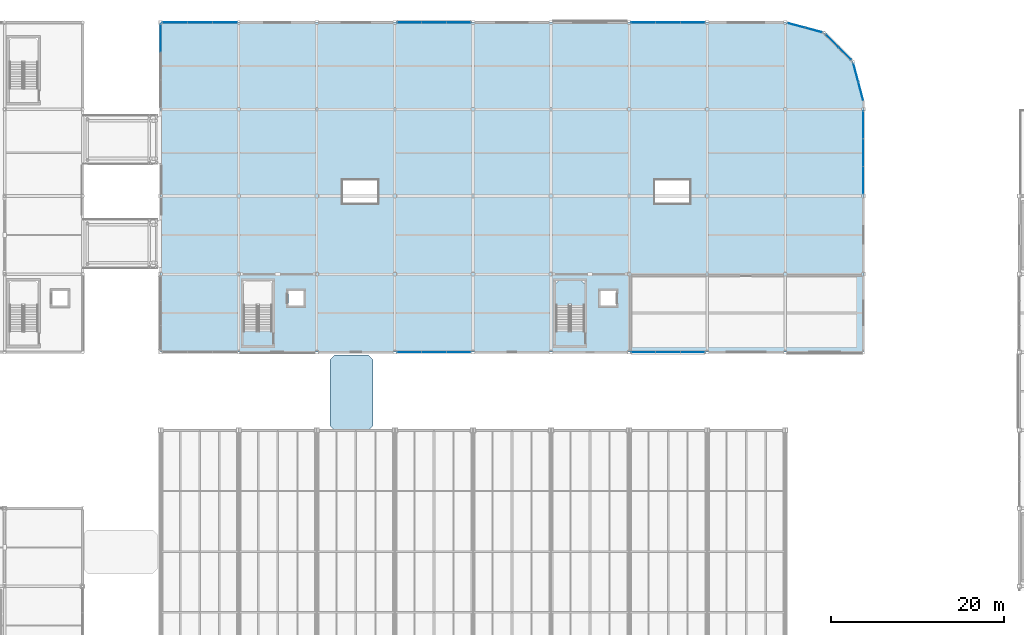
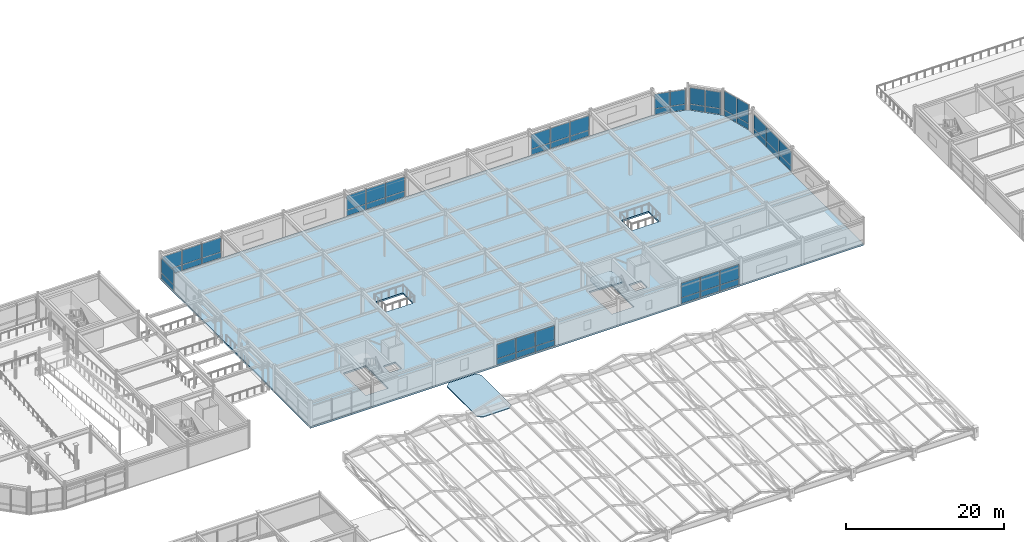
# One storey, part 66 of 108: 50 plates, 3 slabs, 11 elements without a shape of their own.
"""IFC4 building model written with IfcOpenShell, lengths in metres."""

from ifc_helpers import new_model, si_unit, direction, frame, origin, origin_2d, place, context, subcontext, project, spatial, polyline, rectangle, outline, extrude, material, layer, layer_set, type_object, element, aggregate, save


model = new_model("IFC4")

# Units and contexts
model_context = context("Model", 3, precision=1e-05, world=origin(), true_north=direction((0.0, 1.0)))
body_context = subcontext(model_context, "Body", "Model", "MODEL_VIEW")
ifc_project = project(units=[si_unit("LENGTHUNIT", "METRE"), si_unit("AREAUNIT", "SQUARE_METRE"), si_unit("VOLUMEUNIT", "CUBIC_METRE"), si_unit("PLANEANGLEUNIT", "RADIAN"), si_unit("MASSUNIT", "GRAM", prefix="KILO")], contexts=[model_context])

# Site, building, storey
site_placement = place(None, origin())
site = spatial("IfcSite", under=ifc_project, at=site_placement, CompositionType="ELEMENT")
building_placement = place(site_placement, origin())
building = spatial("IfcBuilding", under=site, at=building_placement, Name="Suzunagisa Mobility Hub", CompositionType="ELEMENT")
storey_placement = place(building_placement, frame((0.0, 0.0, 9.300048828125)))
storey = spatial("IfcBuildingStorey", under=building, at=storey_placement, Name="L02", CompositionType="ELEMENT", Elevation=9.300048828125)

# Slabs
ifc_material_1 = material(Name="Concrete C30/37", Category="concrete")
ifc_layer_1 = layer(ifc_material_1, 0.139892578125)
ifc_layer_set_1 = layer_set([ifc_layer_1], Name="Concrete C30/37")
slab_type_1 = type_object("IfcSlabType", Name="Composite Slab SL-06 140mm", PredefinedType="ROOF", material=ifc_layer_set_1)
slab_1_placement = place(storey_placement, frame((0.0, 0.0, -0.14013671875)))
element("IfcSlab", 1, at=slab_1_placement, inside=storey, type_object=slab_type_1, Name="L02 Skybridge Canopy SB-02", PredefinedType="ROOF", context=body_context, shape_type="SweptSolid", body=[
    extrude(outline(polyline([(65.050048828125, 71.0), (68.949951171875, 71.0), (69.5, 71.550048828125), (69.5, 79.10009765625), (68.949951171875, 79.64990234375), (65.050048828125, 79.64990234375), (64.5, 79.10009765625), (64.5, 71.550048828125), (65.050048828125, 71.0)])), origin(), (0.0, 0.0, 1.0), 0.14013671875),
])
ifc_material_2 = material(Name="Concrete C35/45", Category="concrete")
ifc_layer_2 = layer(ifc_material_2, 0.260009765625)
ifc_layer_set_2 = layer_set([ifc_layer_2], Name="Concrete C35/45")
slab_type_2 = type_object("IfcSlabType", Name="Composite Slab SL-12 260mm", PredefinedType="FLOOR", material=ifc_layer_set_2)
slab_2_placement = place(storey_placement, frame((0.0, 0.0, -0.260009765625)))
element("IfcSlab", 2, at=slab_2_placement, inside=storey, type_object=slab_type_2, Name="L02 V4 Floor Slab", PredefinedType="FLOOR", context=body_context, shape_type="SweptSolid", body=[
    extrude(outline(polyline([(45.0, 80.0), (126.0, 80.0), (126.0, 109.0), (124.794189453125, 113.5), (121.5, 116.794189453125), (117.0, 118.0), (45.0, 118.0), (45.0, 80.0)]), holes=[polyline([(66.0, 97.199951171875), (70.0, 97.199951171875), (70.0, 99.800048828125), (66.0, 99.800048828125), (66.0, 97.199951171875)]), polyline([(102.0, 97.199951171875), (106.0, 97.199951171875), (106.0, 99.800048828125), (102.0, 99.800048828125), (102.0, 97.199951171875)]), polyline([(54.56005859375, 82.47998046875), (57.840087890625, 82.47998046875), (57.840087890625, 88.199951171875), (54.56005859375, 88.199951171875), (54.56005859375, 82.47998046875)]), polyline([(59.719970703125, 85.3701171875), (61.47998046875, 85.3701171875), (61.47998046875, 87.030029296875), (59.719970703125, 87.030029296875), (59.719970703125, 85.3701171875)]), polyline([(90.56005859375, 82.47998046875), (93.840087890625, 82.47998046875), (93.840087890625, 88.199951171875), (90.56005859375, 88.199951171875), (90.56005859375, 82.47998046875)]), polyline([(95.719970703125, 85.3701171875), (97.47998046875, 85.3701171875), (97.47998046875, 87.030029296875), (95.719970703125, 87.030029296875), (95.719970703125, 85.3701171875)])]), origin(), (0.0, 0.0, 1.0), 0.260009765625),
])

# Stair, slab
stair_type = type_object("IfcStairType", Name="Dog-Leg Core Escape Stair ST-08 W1560", PredefinedType="HALF_TURN_STAIR", material=ifc_material_2)
stair_placement = place(storey_placement, origin())
stair = element("IfcStair", 3, at=stair_placement, inside=storey, type_object=stair_type, Name="L02 Core C4 Escape Stair ST-08", PredefinedType="HALF_TURN_STAIR")
ifc_layer_3 = layer(ifc_material_2, 0.199951171875)
ifc_layer_set_3 = layer_set([ifc_layer_3], Name="Concrete C35/45")
slab_type_3 = type_object("IfcSlabType", Name="Core Stair Half-Landing Slab SL-SLND", PredefinedType="LANDING", material=ifc_layer_set_3)
slab_3_placement = place(storey_placement, frame((0.0, 0.0, 1.89990234375)))
slab_3 = element("IfcSlab", 4, at=slab_3_placement, type_object=slab_type_3, Name="ST-08 landing 1", PredefinedType="LANDING", context=body_context, shape_type="SweptSolid", body=[
    extrude(outline(polyline([(90.4599609375, 85.360107421875), (93.93994140625, 85.360107421875), (93.93994140625, 87.820068359375), (93.4599609375, 88.300048828125), (90.93994140625, 88.300048828125), (90.4599609375, 87.820068359375), (90.4599609375, 85.360107421875)])), origin(), (0.0, 0.0, 1.0), 0.199951171875),
])
aggregate(stair, [slab_3])

# Curtain wall, plates
ifc_material_3 = material(Name="Thermally Broken Anodized Aluminum and Low-E Glazing", Category="aluminium")
curtain_wall_type_1 = type_object("IfcCurtainWallType", Name="Unitised Curtain Wall CW-18 8500x3200", PredefinedType="USERDEFINED", material=ifc_material_3)
curtain_wall_1_placement = place(storey_placement, origin())
curtain_wall_1 = element("IfcCurtainWall", 5, at=curtain_wall_1_placement, inside=storey, type_object=curtain_wall_type_1, Name="L02 Unitised Curtain Wall CW-110", ObjectType="UNITISED CURTAIN WALL", PredefinedType="USERDEFINED")
ifc_material_4 = material(Name="Low-E Solar-Control Double Glazing", Category="glass")
ifc_layer_4 = layer(ifc_material_4, 0.028076171875)
ifc_layer_set_4 = layer_set([ifc_layer_4], Name="Low-E Solar-Control Double Glazing")
plate_type = type_object("IfcPlateType", Name="Low-E Double Glazed Curtain Panel GP-01 28mm", PredefinedType="CURTAIN_PANEL", material=ifc_layer_set_4)
plate_1_placement = place(storey_placement, frame((73.6484375, 80.0, 0.06298828125), z_axis=(0.0, 0.0, 1.0), x_axis=(1.0, 0.0, 0.0)))
plate_1 = element("IfcPlate", 6, at=plate_1_placement, type_object=plate_type, Name="Curtain Wall Glazing Panel 110-P1.1", PredefinedType="CURTAIN_PANEL", context=body_context, shape_type="SweptSolid", body=[
    extrude(rectangle(XDim=2.78076171875, YDim=0.028076171875, at=origin_2d()), origin(), (0.0, 0.0, 1.0), 0.8564453125),
])
plate_2_placement = place(storey_placement, frame((73.6484375, 80.0, 0.98046875), z_axis=(0.0, 0.0, 1.0), x_axis=(1.0, 0.0, 0.0)))
plate_2 = element("IfcPlate", 7, at=plate_2_placement, type_object=plate_type, Name="Curtain Wall Glazing Panel 110-P1.2", PredefinedType="CURTAIN_PANEL", context=body_context, shape_type="SweptSolid", body=[
    extrude(rectangle(XDim=2.78076171875, YDim=0.028076171875, at=origin_2d()), origin(), (0.0, 0.0, 1.0), 2.20654296875),
])
plate_3_placement = place(storey_placement, frame((76.5, 80.0, 0.06298828125), z_axis=(0.0, 0.0, 1.0), x_axis=(1.0, 0.0, 0.0)))
plate_3 = element("IfcPlate", 8, at=plate_3_placement, type_object=plate_type, Name="Curtain Wall Glazing Panel 110-P2.1", PredefinedType="CURTAIN_PANEL", context=body_context, shape_type="SweptSolid", body=[
    extrude(rectangle(XDim=2.810546875, YDim=0.028076171875, at=origin_2d()), origin(), (0.0, 0.0, 1.0), 0.8564453125),
])
plate_4_placement = place(storey_placement, frame((76.5, 80.0, 0.98046875), z_axis=(0.0, 0.0, 1.0), x_axis=(1.0, 0.0, 0.0)))
plate_4 = element("IfcPlate", 9, at=plate_4_placement, type_object=plate_type, Name="Curtain Wall Glazing Panel 110-P2.2", PredefinedType="CURTAIN_PANEL", context=body_context, shape_type="SweptSolid", body=[
    extrude(rectangle(XDim=2.810546875, YDim=0.028076171875, at=origin_2d()), origin(), (0.0, 0.0, 1.0), 2.20654296875),
])
plate_5_placement = place(storey_placement, frame((79.351806640625, 80.0, 0.06298828125), z_axis=(0.0, 0.0, 1.0), x_axis=(1.0, 0.0, 0.0)))
plate_5 = element("IfcPlate", 10, at=plate_5_placement, type_object=plate_type, Name="Curtain Wall Glazing Panel 110-P3.1", PredefinedType="CURTAIN_PANEL", context=body_context, shape_type="SweptSolid", body=[
    extrude(rectangle(XDim=2.78076171875, YDim=0.028076171875, at=origin_2d()), origin(), (0.0, 0.0, 1.0), 0.8564453125),
])
plate_6_placement = place(storey_placement, frame((79.351806640625, 80.0, 0.98046875), z_axis=(0.0, 0.0, 1.0), x_axis=(1.0, 0.0, 0.0)))
plate_6 = element("IfcPlate", 11, at=plate_6_placement, type_object=plate_type, Name="Curtain Wall Glazing Panel 110-P3.2", PredefinedType="CURTAIN_PANEL", context=body_context, shape_type="SweptSolid", body=[
    extrude(rectangle(XDim=2.78076171875, YDim=0.028076171875, at=origin_2d()), origin(), (0.0, 0.0, 1.0), 2.20654296875),
])
aggregate(curtain_wall_1, [plate_1, plate_2, plate_3, plate_4, plate_5, plate_6])

curtain_wall_2_placement = place(storey_placement, origin())
curtain_wall_2 = element("IfcCurtainWall", 12, at=curtain_wall_2_placement, inside=storey, type_object=curtain_wall_type_1, Name="L02 Unitised Curtain Wall CW-111", ObjectType="UNITISED CURTAIN WALL", PredefinedType="USERDEFINED")
plate_7_placement = place(storey_placement, frame((100.6484375, 80.0, 0.06298828125), z_axis=(0.0, 0.0, 1.0), x_axis=(1.0, 0.0, 0.0)))
plate_7 = element("IfcPlate", 13, at=plate_7_placement, type_object=plate_type, Name="Curtain Wall Glazing Panel 111-P1.1", PredefinedType="CURTAIN_PANEL", context=body_context, shape_type="SweptSolid", body=[
    extrude(rectangle(XDim=2.78076171875, YDim=0.028076171875, at=origin_2d()), origin(), (0.0, 0.0, 1.0), 0.8564453125),
])
plate_8_placement = place(storey_placement, frame((100.6484375, 80.0, 0.98046875), z_axis=(0.0, 0.0, 1.0), x_axis=(1.0, 0.0, 0.0)))
plate_8 = element("IfcPlate", 14, at=plate_8_placement, type_object=plate_type, Name="Curtain Wall Glazing Panel 111-P1.2", PredefinedType="CURTAIN_PANEL", context=body_context, shape_type="SweptSolid", body=[
    extrude(rectangle(XDim=2.78076171875, YDim=0.028076171875, at=origin_2d()), origin(), (0.0, 0.0, 1.0), 2.20654296875),
])
plate_9_placement = place(storey_placement, frame((103.5, 80.0, 0.06298828125), z_axis=(0.0, 0.0, 1.0), x_axis=(1.0, 0.0, 0.0)))
plate_9 = element("IfcPlate", 15, at=plate_9_placement, type_object=plate_type, Name="Curtain Wall Glazing Panel 111-P2.1", PredefinedType="CURTAIN_PANEL", context=body_context, shape_type="SweptSolid", body=[
    extrude(rectangle(XDim=2.810546875, YDim=0.028076171875, at=origin_2d()), origin(), (0.0, 0.0, 1.0), 0.8564453125),
])
plate_10_placement = place(storey_placement, frame((103.5, 80.0, 0.98046875), z_axis=(0.0, 0.0, 1.0), x_axis=(1.0, 0.0, 0.0)))
plate_10 = element("IfcPlate", 16, at=plate_10_placement, type_object=plate_type, Name="Curtain Wall Glazing Panel 111-P2.2", PredefinedType="CURTAIN_PANEL", context=body_context, shape_type="SweptSolid", body=[
    extrude(rectangle(XDim=2.810546875, YDim=0.028076171875, at=origin_2d()), origin(), (0.0, 0.0, 1.0), 2.20654296875),
])
plate_11_placement = place(storey_placement, frame((106.351806640625, 80.0, 0.06298828125), z_axis=(0.0, 0.0, 1.0), x_axis=(1.0, 0.0, 0.0)))
plate_11 = element("IfcPlate", 17, at=plate_11_placement, type_object=plate_type, Name="Curtain Wall Glazing Panel 111-P3.1", PredefinedType="CURTAIN_PANEL", context=body_context, shape_type="SweptSolid", body=[
    extrude(rectangle(XDim=2.78076171875, YDim=0.028076171875, at=origin_2d()), origin(), (0.0, 0.0, 1.0), 0.8564453125),
])
plate_12_placement = place(storey_placement, frame((106.351806640625, 80.0, 0.98046875), z_axis=(0.0, 0.0, 1.0), x_axis=(1.0, 0.0, 0.0)))
plate_12 = element("IfcPlate", 18, at=plate_12_placement, type_object=plate_type, Name="Curtain Wall Glazing Panel 111-P3.2", PredefinedType="CURTAIN_PANEL", context=body_context, shape_type="SweptSolid", body=[
    extrude(rectangle(XDim=2.78076171875, YDim=0.028076171875, at=origin_2d()), origin(), (0.0, 0.0, 1.0), 2.20654296875),
])
aggregate(curtain_wall_2, [plate_7, plate_8, plate_9, plate_10, plate_11, plate_12])

curtain_wall_type_2 = type_object("IfcCurtainWallType", Name="Unitised Curtain Wall CW-07 9500x3200", PredefinedType="USERDEFINED", material=ifc_material_3)
curtain_wall_3_placement = place(storey_placement, origin())
curtain_wall_3 = element("IfcCurtainWall", 19, at=curtain_wall_3_placement, inside=storey, type_object=curtain_wall_type_2, Name="L02 Unitised Curtain Wall CW-112", ObjectType="UNITISED CURTAIN WALL", PredefinedType="USERDEFINED")
plate_13_placement = place(storey_placement, frame((126.0, 99.81494140625, 0.06298828125), z_axis=(0.0, 0.0, 1.0), x_axis=(0.0, 1.0, 0.0)))
plate_13 = element("IfcPlate", 20, at=plate_13_placement, type_object=plate_type, Name="Curtain Wall Glazing Panel 112-P1.1", PredefinedType="CURTAIN_PANEL", context=body_context, shape_type="SweptSolid", body=[
    extrude(rectangle(XDim=3.114013671875, YDim=0.028076171875, at=origin_2d()), origin(), (0.0, 0.0, 1.0), 0.8564453125),
])
plate_14_placement = place(storey_placement, frame((126.0, 99.81494140625, 0.98046875), z_axis=(0.0, 0.0, 1.0), x_axis=(0.0, 1.0, 0.0)))
plate_14 = element("IfcPlate", 21, at=plate_14_placement, type_object=plate_type, Name="Curtain Wall Glazing Panel 112-P1.2", PredefinedType="CURTAIN_PANEL", context=body_context, shape_type="SweptSolid", body=[
    extrude(rectangle(XDim=3.114013671875, YDim=0.028076171875, at=origin_2d()), origin(), (0.0, 0.0, 1.0), 2.20654296875),
])
plate_15_placement = place(storey_placement, frame((126.0, 103.0, 0.06298828125), z_axis=(0.0, 0.0, 1.0), x_axis=(0.0, 1.0, 0.0)))
plate_15 = element("IfcPlate", 22, at=plate_15_placement, type_object=plate_type, Name="Curtain Wall Glazing Panel 112-P2.1", PredefinedType="CURTAIN_PANEL", context=body_context, shape_type="SweptSolid", body=[
    extrude(rectangle(XDim=3.14404296875, YDim=0.028076171875, at=origin_2d()), origin(), (0.0, 0.0, 1.0), 0.8564453125),
])
plate_16_placement = place(storey_placement, frame((126.0, 103.0, 0.98046875), z_axis=(0.0, 0.0, 1.0), x_axis=(0.0, 1.0, 0.0)))
plate_16 = element("IfcPlate", 23, at=plate_16_placement, type_object=plate_type, Name="Curtain Wall Glazing Panel 112-P2.2", PredefinedType="CURTAIN_PANEL", context=body_context, shape_type="SweptSolid", body=[
    extrude(rectangle(XDim=3.14404296875, YDim=0.028076171875, at=origin_2d()), origin(), (0.0, 0.0, 1.0), 2.20654296875),
])
plate_17_placement = place(storey_placement, frame((126.0, 106.18505859375, 0.06298828125), z_axis=(0.0, 0.0, 1.0), x_axis=(0.0, 1.0, 0.0)))
plate_17 = element("IfcPlate", 24, at=plate_17_placement, type_object=plate_type, Name="Curtain Wall Glazing Panel 112-P3.1", PredefinedType="CURTAIN_PANEL", context=body_context, shape_type="SweptSolid", body=[
    extrude(rectangle(XDim=3.114013671875, YDim=0.028076171875, at=origin_2d()), origin(), (0.0, 0.0, 1.0), 0.8564453125),
])
plate_18_placement = place(storey_placement, frame((126.0, 106.18505859375, 0.98046875), z_axis=(0.0, 0.0, 1.0), x_axis=(0.0, 1.0, 0.0)))
plate_18 = element("IfcPlate", 25, at=plate_18_placement, type_object=plate_type, Name="Curtain Wall Glazing Panel 112-P3.2", PredefinedType="CURTAIN_PANEL", context=body_context, shape_type="SweptSolid", body=[
    extrude(rectangle(XDim=3.114013671875, YDim=0.028076171875, at=origin_2d()), origin(), (0.0, 0.0, 1.0), 2.20654296875),
])
aggregate(curtain_wall_3, [plate_13, plate_14, plate_15, plate_16, plate_17, plate_18])

curtain_wall_type_3 = type_object("IfcCurtainWallType", Name="Unitised Curtain Wall CW-42 4500x4000", PredefinedType="USERDEFINED", material=ifc_material_3)
curtain_wall_4_placement = place(storey_placement, origin())
curtain_wall_4 = element("IfcCurtainWall", 26, at=curtain_wall_4_placement, inside=storey, type_object=curtain_wall_type_3, Name="L02 Unitised Curtain Wall CW-113", ObjectType="UNITISED CURTAIN WALL", PredefinedType="USERDEFINED")
plate_19_placement = place(storey_placement, frame((125.708740234375, 110.0869140625, 0.05810546875), z_axis=(0.0, 0.0, 1.0), x_axis=(-0.258814496501, 0.965927045072, 0.0)))
plate_19 = element("IfcPlate", 27, at=plate_19_placement, type_object=plate_type, Name="Curtain Wall Glazing Panel 113-P1.1", PredefinedType="CURTAIN_PANEL", context=body_context, shape_type="SweptSolid", body=[
    extrude(rectangle(XDim=2.134521484375, YDim=0.028076171875, at=origin_2d()), origin(), (0.0, 0.0, 1.0), 0.864013671875),
])
plate_20_placement = place(storey_placement, frame((125.708740234375, 110.0869140625, 0.97802734375), z_axis=(0.0, 0.0, 1.0), x_axis=(-0.258814496501, 0.965927045072, 0.0)))
plate_20 = element("IfcPlate", 28, at=plate_20_placement, type_object=plate_type, Name="Curtain Wall Glazing Panel 113-P1.2", PredefinedType="CURTAIN_PANEL", context=body_context, shape_type="SweptSolid", body=[
    extrude(rectangle(XDim=2.134521484375, YDim=0.028076171875, at=origin_2d()), origin(), (0.0, 0.0, 1.0), 2.9140625),
])
plate_21_placement = place(storey_placement, frame((125.141845703125, 112.202880859375, 0.05810546875), z_axis=(0.0, 0.0, 1.0), x_axis=(-0.258814496501, 0.965927045072, 0.0)))
plate_21 = element("IfcPlate", 29, at=plate_21_placement, type_object=plate_type, Name="Curtain Wall Glazing Panel 113-P2.1", PredefinedType="CURTAIN_PANEL", context=body_context, shape_type="SweptSolid", body=[
    extrude(rectangle(XDim=2.134521484375, YDim=0.028076171875, at=origin_2d()), origin(), (0.0, 0.0, 1.0), 0.864013671875),
])
plate_22_placement = place(storey_placement, frame((125.141845703125, 112.202880859375, 0.97802734375), z_axis=(0.0, 0.0, 1.0), x_axis=(-0.258814496501, 0.965927045072, 0.0)))
plate_22 = element("IfcPlate", 30, at=plate_22_placement, type_object=plate_type, Name="Curtain Wall Glazing Panel 113-P2.2", PredefinedType="CURTAIN_PANEL", context=body_context, shape_type="SweptSolid", body=[
    extrude(rectangle(XDim=2.134521484375, YDim=0.028076171875, at=origin_2d()), origin(), (0.0, 0.0, 1.0), 2.9140625),
])
aggregate(curtain_wall_4, [plate_19, plate_20, plate_21, plate_22])

curtain_wall_type_4 = type_object("IfcCurtainWallType", Name="Unitised Curtain Wall CW-44 4250x3600", PredefinedType="USERDEFINED", material=ifc_material_3)
curtain_wall_5_placement = place(storey_placement, origin())
curtain_wall_5 = element("IfcCurtainWall", 31, at=curtain_wall_5_placement, inside=storey, type_object=curtain_wall_type_4, Name="L02 Unitised Curtain Wall CW-114", ObjectType="UNITISED CURTAIN WALL", PredefinedType="USERDEFINED")
plate_23_placement = place(storey_placement, frame((123.87109375, 114.423095703125, 0.05810546875), z_axis=(0.0, 0.0, 1.0), x_axis=(-0.707106781187, 0.707106781187, 0.0)))
plate_23 = element("IfcPlate", 32, at=plate_23_placement, type_object=plate_type, Name="Curtain Wall Glazing Panel 114-P1.1", PredefinedType="CURTAIN_PANEL", context=body_context, shape_type="SweptSolid", body=[
    extrude(rectangle(XDim=1.991943359375, YDim=0.028076171875, at=origin_2d()), origin(), (0.0, 0.0, 1.0), 0.864013671875),
])
plate_24_placement = place(storey_placement, frame((123.87109375, 114.423095703125, 0.97802734375), z_axis=(0.0, 0.0, 1.0), x_axis=(-0.707106781187, 0.707106781187, 0.0)))
plate_24 = element("IfcPlate", 33, at=plate_24_placement, type_object=plate_type, Name="Curtain Wall Glazing Panel 114-P1.2", PredefinedType="CURTAIN_PANEL", context=body_context, shape_type="SweptSolid", body=[
    extrude(rectangle(XDim=1.991943359375, YDim=0.028076171875, at=origin_2d()), origin(), (0.0, 0.0, 1.0), 2.513916015625),
])
plate_25_placement = place(storey_placement, frame((122.423095703125, 115.87109375, 0.05810546875), z_axis=(0.0, 0.0, 1.0), x_axis=(-0.707106781187, 0.707106781187, 0.0)))
plate_25 = element("IfcPlate", 34, at=plate_25_placement, type_object=plate_type, Name="Curtain Wall Glazing Panel 114-P2.1", PredefinedType="CURTAIN_PANEL", context=body_context, shape_type="SweptSolid", body=[
    extrude(rectangle(XDim=1.991943359375, YDim=0.028076171875, at=origin_2d()), origin(), (0.0, 0.0, 1.0), 0.864013671875),
])
plate_26_placement = place(storey_placement, frame((122.423095703125, 115.87109375, 0.97802734375), z_axis=(0.0, 0.0, 1.0), x_axis=(-0.707106781187, 0.707106781187, 0.0)))
plate_26 = element("IfcPlate", 35, at=plate_26_placement, type_object=plate_type, Name="Curtain Wall Glazing Panel 114-P2.2", PredefinedType="CURTAIN_PANEL", context=body_context, shape_type="SweptSolid", body=[
    extrude(rectangle(XDim=1.991943359375, YDim=0.028076171875, at=origin_2d()), origin(), (0.0, 0.0, 1.0), 2.513916015625),
])
aggregate(curtain_wall_5, [plate_23, plate_24, plate_25, plate_26])

curtain_wall_type_5 = type_object("IfcCurtainWallType", Name="Unitised Curtain Wall CW-01 4250x3200", PredefinedType="USERDEFINED", material=ifc_material_3)
curtain_wall_6_placement = place(storey_placement, origin())
curtain_wall_6 = element("IfcCurtainWall", 36, at=curtain_wall_6_placement, inside=storey, type_object=curtain_wall_type_5, Name="L02 Unitised Curtain Wall CW-115", ObjectType="UNITISED CURTAIN WALL", PredefinedType="USERDEFINED")
plate_27_placement = place(storey_placement, frame((120.261962890625, 117.1259765625, 0.05810546875), z_axis=(0.0, 0.0, 1.0), x_axis=(-0.965927308128, 0.25881351474, 0.0)))
plate_27 = element("IfcPlate", 37, at=plate_27_placement, type_object=plate_type, Name="Curtain Wall Glazing Panel 115-P1.1", PredefinedType="CURTAIN_PANEL", context=body_context, shape_type="SweptSolid", body=[
    extrude(rectangle(XDim=2.011962890625, YDim=0.028076171875, at=origin_2d()), origin(), (0.0, 0.0, 1.0), 0.864013671875),
])
plate_28_placement = place(storey_placement, frame((120.261962890625, 117.1259765625, 0.97802734375), z_axis=(0.0, 0.0, 1.0), x_axis=(-0.965927308128, 0.25881351474, 0.0)))
plate_28 = element("IfcPlate", 38, at=plate_28_placement, type_object=plate_type, Name="Curtain Wall Glazing Panel 115-P1.2", PredefinedType="CURTAIN_PANEL", context=body_context, shape_type="SweptSolid", body=[
    extrude(rectangle(XDim=2.011962890625, YDim=0.028076171875, at=origin_2d()), origin(), (0.0, 0.0, 1.0), 2.214111328125),
])
plate_29_placement = place(storey_placement, frame((118.264404296875, 117.661376953125, 0.05810546875), z_axis=(0.0, 0.0, 1.0), x_axis=(-0.965927308128, 0.25881351474, 0.0)))
plate_29 = element("IfcPlate", 39, at=plate_29_placement, type_object=plate_type, Name="Curtain Wall Glazing Panel 115-P2.1", PredefinedType="CURTAIN_PANEL", context=body_context, shape_type="SweptSolid", body=[
    extrude(rectangle(XDim=2.01220703125, YDim=0.028076171875, at=origin_2d()), origin(), (0.0, 0.0, 1.0), 0.864013671875),
])
plate_30_placement = place(storey_placement, frame((118.264404296875, 117.661376953125, 0.97802734375), z_axis=(0.0, 0.0, 1.0), x_axis=(-0.965927308128, 0.25881351474, 0.0)))
plate_30 = element("IfcPlate", 40, at=plate_30_placement, type_object=plate_type, Name="Curtain Wall Glazing Panel 115-P2.2", PredefinedType="CURTAIN_PANEL", context=body_context, shape_type="SweptSolid", body=[
    extrude(rectangle(XDim=2.01220703125, YDim=0.028076171875, at=origin_2d()), origin(), (0.0, 0.0, 1.0), 2.214111328125),
])
aggregate(curtain_wall_6, [plate_27, plate_28, plate_29, plate_30])

curtain_wall_7_placement = place(storey_placement, origin())
curtain_wall_7 = element("IfcCurtainWall", 41, at=curtain_wall_7_placement, inside=storey, type_object=curtain_wall_type_1, Name="L02 Unitised Curtain Wall CW-116", ObjectType="UNITISED CURTAIN WALL", PredefinedType="USERDEFINED")
plate_31_placement = place(storey_placement, frame((106.3515625, 118.0, 0.06298828125), z_axis=(0.0, 0.0, 1.0), x_axis=(-1.0, 0.0, 0.0)))
plate_31 = element("IfcPlate", 42, at=plate_31_placement, type_object=plate_type, Name="Curtain Wall Glazing Panel 116-P1.1", PredefinedType="CURTAIN_PANEL", context=body_context, shape_type="SweptSolid", body=[
    extrude(rectangle(XDim=2.78076171875, YDim=0.028076171875, at=origin_2d()), origin(), (0.0, 0.0, 1.0), 0.8564453125),
])
plate_32_placement = place(storey_placement, frame((106.3515625, 118.0, 0.98046875), z_axis=(0.0, 0.0, 1.0), x_axis=(-1.0, 0.0, 0.0)))
plate_32 = element("IfcPlate", 43, at=plate_32_placement, type_object=plate_type, Name="Curtain Wall Glazing Panel 116-P1.2", PredefinedType="CURTAIN_PANEL", context=body_context, shape_type="SweptSolid", body=[
    extrude(rectangle(XDim=2.78076171875, YDim=0.028076171875, at=origin_2d()), origin(), (0.0, 0.0, 1.0), 2.20654296875),
])
plate_33_placement = place(storey_placement, frame((103.5, 118.0, 0.06298828125), z_axis=(0.0, 0.0, 1.0), x_axis=(-1.0, 0.0, 0.0)))
plate_33 = element("IfcPlate", 44, at=plate_33_placement, type_object=plate_type, Name="Curtain Wall Glazing Panel 116-P2.1", PredefinedType="CURTAIN_PANEL", context=body_context, shape_type="SweptSolid", body=[
    extrude(rectangle(XDim=2.810546875, YDim=0.028076171875, at=origin_2d()), origin(), (0.0, 0.0, 1.0), 0.8564453125),
])
plate_34_placement = place(storey_placement, frame((103.5, 118.0, 0.98046875), z_axis=(0.0, 0.0, 1.0), x_axis=(-1.0, 0.0, 0.0)))
plate_34 = element("IfcPlate", 45, at=plate_34_placement, type_object=plate_type, Name="Curtain Wall Glazing Panel 116-P2.2", PredefinedType="CURTAIN_PANEL", context=body_context, shape_type="SweptSolid", body=[
    extrude(rectangle(XDim=2.810546875, YDim=0.028076171875, at=origin_2d()), origin(), (0.0, 0.0, 1.0), 2.20654296875),
])
plate_35_placement = place(storey_placement, frame((100.648193359375, 118.0, 0.06298828125), z_axis=(0.0, 0.0, 1.0), x_axis=(-1.0, 0.0, 0.0)))
plate_35 = element("IfcPlate", 46, at=plate_35_placement, type_object=plate_type, Name="Curtain Wall Glazing Panel 116-P3.1", PredefinedType="CURTAIN_PANEL", context=body_context, shape_type="SweptSolid", body=[
    extrude(rectangle(XDim=2.78076171875, YDim=0.028076171875, at=origin_2d()), origin(), (0.0, 0.0, 1.0), 0.8564453125),
])
plate_36_placement = place(storey_placement, frame((100.648193359375, 118.0, 0.98046875), z_axis=(0.0, 0.0, 1.0), x_axis=(-1.0, 0.0, 0.0)))
plate_36 = element("IfcPlate", 47, at=plate_36_placement, type_object=plate_type, Name="Curtain Wall Glazing Panel 116-P3.2", PredefinedType="CURTAIN_PANEL", context=body_context, shape_type="SweptSolid", body=[
    extrude(rectangle(XDim=2.78076171875, YDim=0.028076171875, at=origin_2d()), origin(), (0.0, 0.0, 1.0), 2.20654296875),
])
aggregate(curtain_wall_7, [plate_31, plate_32, plate_33, plate_34, plate_35, plate_36])

curtain_wall_8_placement = place(storey_placement, origin())
curtain_wall_8 = element("IfcCurtainWall", 48, at=curtain_wall_8_placement, inside=storey, type_object=curtain_wall_type_1, Name="L02 Unitised Curtain Wall CW-117", ObjectType="UNITISED CURTAIN WALL", PredefinedType="USERDEFINED")
plate_37_placement = place(storey_placement, frame((79.3515625, 118.0, 0.06298828125), z_axis=(0.0, 0.0, 1.0), x_axis=(-1.0, 0.0, 0.0)))
plate_37 = element("IfcPlate", 49, at=plate_37_placement, type_object=plate_type, Name="Curtain Wall Glazing Panel 117-P1.1", PredefinedType="CURTAIN_PANEL", context=body_context, shape_type="SweptSolid", body=[
    extrude(rectangle(XDim=2.78076171875, YDim=0.028076171875, at=origin_2d()), origin(), (0.0, 0.0, 1.0), 0.8564453125),
])
plate_38_placement = place(storey_placement, frame((79.3515625, 118.0, 0.98046875), z_axis=(0.0, 0.0, 1.0), x_axis=(-1.0, 0.0, 0.0)))
plate_38 = element("IfcPlate", 50, at=plate_38_placement, type_object=plate_type, Name="Curtain Wall Glazing Panel 117-P1.2", PredefinedType="CURTAIN_PANEL", context=body_context, shape_type="SweptSolid", body=[
    extrude(rectangle(XDim=2.78076171875, YDim=0.028076171875, at=origin_2d()), origin(), (0.0, 0.0, 1.0), 2.20654296875),
])
plate_39_placement = place(storey_placement, frame((76.5, 118.0, 0.06298828125), z_axis=(0.0, 0.0, 1.0), x_axis=(-1.0, 0.0, 0.0)))
plate_39 = element("IfcPlate", 51, at=plate_39_placement, type_object=plate_type, Name="Curtain Wall Glazing Panel 117-P2.1", PredefinedType="CURTAIN_PANEL", context=body_context, shape_type="SweptSolid", body=[
    extrude(rectangle(XDim=2.810546875, YDim=0.028076171875, at=origin_2d()), origin(), (0.0, 0.0, 1.0), 0.8564453125),
])
plate_40_placement = place(storey_placement, frame((76.5, 118.0, 0.98046875), z_axis=(0.0, 0.0, 1.0), x_axis=(-1.0, 0.0, 0.0)))
plate_40 = element("IfcPlate", 52, at=plate_40_placement, type_object=plate_type, Name="Curtain Wall Glazing Panel 117-P2.2", PredefinedType="CURTAIN_PANEL", context=body_context, shape_type="SweptSolid", body=[
    extrude(rectangle(XDim=2.810546875, YDim=0.028076171875, at=origin_2d()), origin(), (0.0, 0.0, 1.0), 2.20654296875),
])
plate_41_placement = place(storey_placement, frame((73.648193359375, 118.0, 0.06298828125), z_axis=(0.0, 0.0, 1.0), x_axis=(-1.0, 0.0, 0.0)))
plate_41 = element("IfcPlate", 53, at=plate_41_placement, type_object=plate_type, Name="Curtain Wall Glazing Panel 117-P3.1", PredefinedType="CURTAIN_PANEL", context=body_context, shape_type="SweptSolid", body=[
    extrude(rectangle(XDim=2.78076171875, YDim=0.028076171875, at=origin_2d()), origin(), (0.0, 0.0, 1.0), 0.8564453125),
])
plate_42_placement = place(storey_placement, frame((73.648193359375, 118.0, 0.98046875), z_axis=(0.0, 0.0, 1.0), x_axis=(-1.0, 0.0, 0.0)))
plate_42 = element("IfcPlate", 54, at=plate_42_placement, type_object=plate_type, Name="Curtain Wall Glazing Panel 117-P3.2", PredefinedType="CURTAIN_PANEL", context=body_context, shape_type="SweptSolid", body=[
    extrude(rectangle(XDim=2.78076171875, YDim=0.028076171875, at=origin_2d()), origin(), (0.0, 0.0, 1.0), 2.20654296875),
])
aggregate(curtain_wall_8, [plate_37, plate_38, plate_39, plate_40, plate_41, plate_42])

curtain_wall_type_6 = type_object("IfcCurtainWallType", Name="Unitised Curtain Wall CW-13 8750x3200", PredefinedType="USERDEFINED", material=ifc_material_3)
curtain_wall_9_placement = place(storey_placement, origin())
curtain_wall_9 = element("IfcCurtainWall", 55, at=curtain_wall_9_placement, inside=storey, type_object=curtain_wall_type_6, Name="L02 Unitised Curtain Wall CW-118", ObjectType="UNITISED CURTAIN WALL", PredefinedType="USERDEFINED")
plate_43_placement = place(storey_placement, frame((52.43505859375, 118.0, 0.06298828125), z_axis=(0.0, 0.0, 1.0), x_axis=(-1.0, 0.0, 0.0)))
plate_43 = element("IfcPlate", 56, at=plate_43_placement, type_object=plate_type, Name="Curtain Wall Glazing Panel 118-P1.1", PredefinedType="CURTAIN_PANEL", context=body_context, shape_type="SweptSolid", body=[
    extrude(rectangle(XDim=2.81396484375, YDim=0.028076171875, at=origin_2d()), origin(), (0.0, 0.0, 1.0), 0.8564453125),
])
plate_44_placement = place(storey_placement, frame((52.43505859375, 118.0, 0.98046875), z_axis=(0.0, 0.0, 1.0), x_axis=(-1.0, 0.0, 0.0)))
plate_44 = element("IfcPlate", 57, at=plate_44_placement, type_object=plate_type, Name="Curtain Wall Glazing Panel 118-P1.2", PredefinedType="CURTAIN_PANEL", context=body_context, shape_type="SweptSolid", body=[
    extrude(rectangle(XDim=2.81396484375, YDim=0.028076171875, at=origin_2d()), origin(), (0.0, 0.0, 1.0), 2.20654296875),
])
plate_45_placement = place(storey_placement, frame((49.550048828125, 118.0, 0.06298828125), z_axis=(0.0, 0.0, 1.0), x_axis=(-1.0, 0.0, 0.0)))
plate_45 = element("IfcPlate", 58, at=plate_45_placement, type_object=plate_type, Name="Curtain Wall Glazing Panel 118-P2.1", PredefinedType="CURTAIN_PANEL", context=body_context, shape_type="SweptSolid", body=[
    extrude(rectangle(XDim=2.843994140625, YDim=0.028076171875, at=origin_2d()), origin(), (0.0, 0.0, 1.0), 0.8564453125),
])
plate_46_placement = place(storey_placement, frame((49.550048828125, 118.0, 0.98046875), z_axis=(0.0, 0.0, 1.0), x_axis=(-1.0, 0.0, 0.0)))
plate_46 = element("IfcPlate", 59, at=plate_46_placement, type_object=plate_type, Name="Curtain Wall Glazing Panel 118-P2.2", PredefinedType="CURTAIN_PANEL", context=body_context, shape_type="SweptSolid", body=[
    extrude(rectangle(XDim=2.843994140625, YDim=0.028076171875, at=origin_2d()), origin(), (0.0, 0.0, 1.0), 2.20654296875),
])
plate_47_placement = place(storey_placement, frame((46.6650390625, 118.0, 0.06298828125), z_axis=(0.0, 0.0, 1.0), x_axis=(-1.0, 0.0, 0.0)))
plate_47 = element("IfcPlate", 60, at=plate_47_placement, type_object=plate_type, Name="Curtain Wall Glazing Panel 118-P3.1", PredefinedType="CURTAIN_PANEL", context=body_context, shape_type="SweptSolid", body=[
    extrude(rectangle(XDim=2.81396484375, YDim=0.028076171875, at=origin_2d()), origin(), (0.0, 0.0, 1.0), 0.8564453125),
])
plate_48_placement = place(storey_placement, frame((46.6650390625, 118.0, 0.98046875), z_axis=(0.0, 0.0, 1.0), x_axis=(-1.0, 0.0, 0.0)))
plate_48 = element("IfcPlate", 61, at=plate_48_placement, type_object=plate_type, Name="Curtain Wall Glazing Panel 118-P3.2", PredefinedType="CURTAIN_PANEL", context=body_context, shape_type="SweptSolid", body=[
    extrude(rectangle(XDim=2.81396484375, YDim=0.028076171875, at=origin_2d()), origin(), (0.0, 0.0, 1.0), 2.20654296875),
])
aggregate(curtain_wall_9, [plate_43, plate_44, plate_45, plate_46, plate_47, plate_48])

curtain_wall_10_placement = place(storey_placement, origin())
curtain_wall_10 = element("IfcCurtainWall", 62, at=curtain_wall_10_placement, inside=storey, type_object=curtain_wall_type_2, Name="L02 Unitised Curtain Wall CW-119", ObjectType="UNITISED CURTAIN WALL", PredefinedType="USERDEFINED")
plate_49_placement = place(storey_placement, frame((45.0, 116.18505859375, 0.06298828125), z_axis=(0.0, 0.0, 1.0), x_axis=(0.0, -1.0, 0.0)))
plate_49 = element("IfcPlate", 63, at=plate_49_placement, type_object=plate_type, Name="Curtain Wall Glazing Panel 119-P1.1", PredefinedType="CURTAIN_PANEL", context=body_context, shape_type="SweptSolid", body=[
    extrude(rectangle(XDim=3.114013671875, YDim=0.028076171875, at=origin_2d()), origin(), (0.0, 0.0, 1.0), 0.8564453125),
])
plate_50_placement = place(storey_placement, frame((45.0, 116.18505859375, 0.98046875), z_axis=(0.0, 0.0, 1.0), x_axis=(0.0, -1.0, 0.0)))
plate_50 = element("IfcPlate", 64, at=plate_50_placement, type_object=plate_type, Name="Curtain Wall Glazing Panel 119-P1.2", PredefinedType="CURTAIN_PANEL", context=body_context, shape_type="SweptSolid", body=[
    extrude(rectangle(XDim=3.114013671875, YDim=0.028076171875, at=origin_2d()), origin(), (0.0, 0.0, 1.0), 2.20654296875),
])
aggregate(curtain_wall_10, [plate_49, plate_50])

save(model, "model.ifc")
